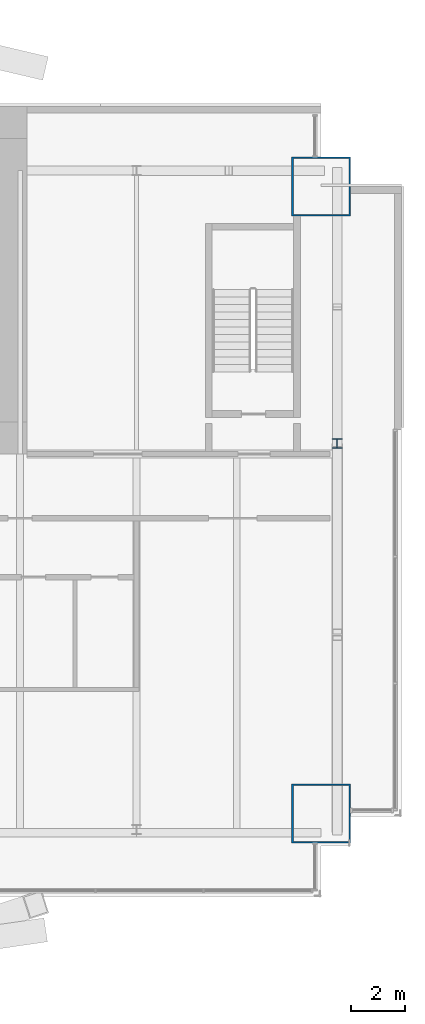
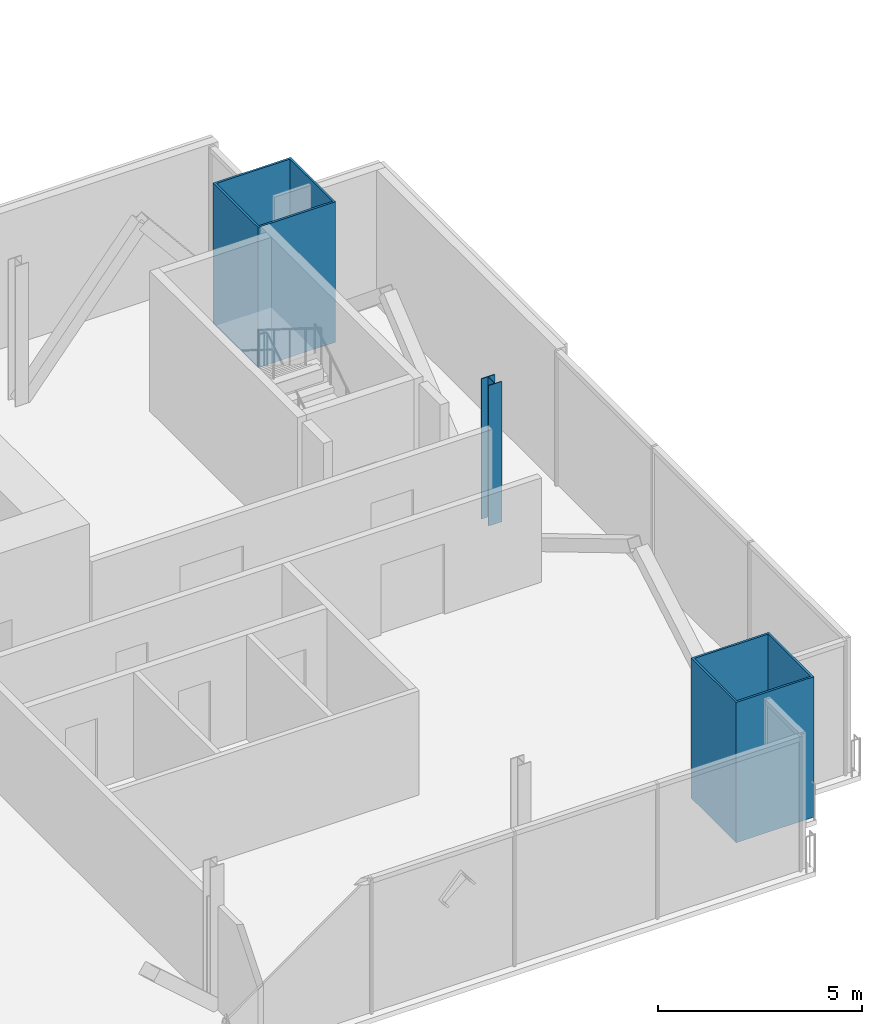
# One storey, part 4 of 22: 3 columns.
"""IFC4 building model written with IfcOpenShell, lengths in metres."""

import ifcopenshell
import ifcopenshell.guid

model = None  # the IFC model being written
_history = None  # IfcOwnerHistory: only IFC2X3 demands one
_inside = {}  # id of a spatial element -> (the spatial element, [elements in it])
_under = {}  # id of a project, library or spatial element -> (it, [spatial elements below it])
_declared = {}  # id of a project -> (the project, [libraries it declares])
_typed = {}  # id of a type object -> (the type object, [elements of that type])
_made_of = {}  # id of a material, layer set ... -> (it, [elements and type objects made of it])


def new_model(schema):
    """Start an empty IFC model of exactly this schema.

    Asked for "IFC4X3", IfcOpenShell would pick the latest addendum, in which some entities
    have other attributes; the version numbers below select the first issue.
    IFC2X3 requires an IfcOwnerHistory on every rooted entity: one is made here for all.
    """
    global model, _history
    if schema == "IFC4X3":
        model = ifcopenshell.file(schema_version=(4, 3, 0, 0))
    else:
        model = ifcopenshell.file(schema=schema)
    _inside.clear()
    _under.clear()
    _declared.clear()
    _typed.clear()
    _made_of.clear()
    _history = None
    if model.schema == "IFC2X3":
        org = make("IfcOrganization", Name="unknown")
        user = make(
            "IfcPersonAndOrganization",
            ThePerson=make("IfcPerson", FamilyName="unknown"),
            TheOrganization=org,
        )
        app = make(
            "IfcApplication",
            ApplicationDeveloper=org,
            Version="unknown",
            ApplicationFullName="unknown",
            ApplicationIdentifier="unknown",
        )
        _history = make(
            "IfcOwnerHistory",
            OwningUser=user,
            OwningApplication=app,
            ChangeAction="ADDED",
            CreationDate=0,
        )
    return model


def make(cls, **values):
    """One entity of the class cls with the attributes given. An attribute that is None is left unset."""
    return model.create_entity(
        cls, **{name: value for name, value in values.items() if value is not None}
    )


def rooted(cls, **values):
    """An entity with a GlobalId (a new one), such as an element, a storey or a relation."""
    return make(cls, GlobalId=ifcopenshell.guid.new(), OwnerHistory=_history, **values)


def si_unit(unit_type, name, prefix=None):
    """IfcSIUnit, for example si_unit("LENGTHUNIT", "METRE", prefix="MILLI")."""
    return make("IfcSIUnit", UnitType=unit_type, Prefix=prefix, Name=name)


def assignment(units):
    """IfcUnitAssignment: the units of a project."""
    return None if units is None else make("IfcUnitAssignment", Units=units)


def point(xyz):
    """IfcCartesianPoint."""
    return None if xyz is None else make("IfcCartesianPoint", Coordinates=xyz)


def direction(xyz):
    """IfcDirection."""
    return None if xyz is None else make("IfcDirection", DirectionRatios=xyz)


def frame(location, z_axis=None, x_axis=None):
    """IfcAxis2Placement3D, a coordinate frame: its origin and axes. An axis left out is left unset."""
    return make(
        "IfcAxis2Placement3D",
        Location=point(location),
        Axis=direction(z_axis),
        RefDirection=direction(x_axis),
    )


def frame_2d(location, x_axis=None):
    """IfcAxis2Placement2D, a coordinate frame in the plane: its origin and x axis."""
    return make(
        "IfcAxis2Placement2D", Location=point(location), RefDirection=direction(x_axis)
    )


def origin():
    """The frame at (0, 0, 0) with its axes left unset."""
    return frame((0.0, 0.0, 0.0))


def origin_2d():
    """The frame at (0, 0) in the plane with its x axis left unset."""
    return frame_2d((0.0, 0.0))


def place(relative_to, where):
    """IfcLocalPlacement: puts the frame where relative to a parent placement (None: the world)."""
    return make(
        "IfcLocalPlacement", PlacementRelTo=relative_to, RelativePlacement=where
    )


def context(
    kind, dimensions, precision=None, world=None, true_north=None, identifier=None
):
    """IfcGeometricRepresentationContext, for example the 3D "Model" context."""
    return make(
        "IfcGeometricRepresentationContext",
        ContextIdentifier=identifier,
        ContextType=kind,
        CoordinateSpaceDimension=dimensions,
        Precision=precision,
        WorldCoordinateSystem=world,
        TrueNorth=true_north,
    )


def subcontext(parent, identifier, kind, view, scale=None):
    """IfcGeometricRepresentationSubContext, for example "Body" below "Model"."""
    return make(
        "IfcGeometricRepresentationSubContext",
        ContextIdentifier=identifier,
        ContextType=kind,
        ParentContext=parent,
        TargetScale=scale,
        TargetView=view,
    )


def project(units=None, contexts=None):
    """IfcProject with its units and contexts."""
    return rooted(
        "IfcProject",
        Name="project",
        RepresentationContexts=contexts,
        UnitsInContext=assignment(units),
    )


def spatial(cls, under=None, at=None, **own):
    """A site, building, storey or space (cls), placed at a placement, below another one or the project."""
    s = rooted(cls, ObjectPlacement=at, **own)
    if under is not None:
        _under.setdefault(under.id(), (under, []))[1].append(s)
    return s


def profile(cls, at=None, kind="AREA", **sizes):
    """A parametric profile (cls). Its sizes go by their IFC names, for example OverallWidth=200.0."""
    return make(cls, ProfileType=kind, Position=at, **sizes)


def hollow_rectangle(**sizes):
    """IfcRectangleHollowProfileDef."""
    return profile("IfcRectangleHollowProfileDef", **sizes)


def i_section(**sizes):
    """IfcIShapeProfileDef."""
    return profile("IfcIShapeProfileDef", **sizes)


def extrude(swept, where, along, depth):
    """IfcExtrudedAreaSolid: the profile swept, set in the frame where, extruded along a direction by depth."""
    return make(
        "IfcExtrudedAreaSolid",
        SweptArea=swept,
        Position=where,
        ExtrudedDirection=direction(along),
        Depth=depth,
    )


def shape(context_of_items, identifier, shape_type, items):
    """IfcShapeRepresentation: the items that make up one representation, for example the "Body"."""
    return make(
        "IfcShapeRepresentation",
        ContextOfItems=context_of_items,
        RepresentationIdentifier=identifier,
        RepresentationType=shape_type,
        Items=items,
    )


def material(Name=None, Category=None):
    """IfcMaterial."""
    return make("IfcMaterial", Name=Name, Category=Category)


def material_profile(
    of_material, cross_section, Name=None, Category=None, Priority=None
):
    """IfcMaterialProfile: a cross section and its material."""
    return make(
        "IfcMaterialProfile",
        Name=Name,
        Material=of_material,
        Profile=cross_section,
        Priority=Priority,
        Category=Category,
    )


def profile_set(profiles, Name=None, composite=None):
    """IfcMaterialProfileSet."""
    return make(
        "IfcMaterialProfileSet",
        Name=Name,
        MaterialProfiles=profiles,
        CompositeProfile=composite,
    )


def made_of(thing, what):
    """Note that an element or type object is made of a material, layer set ...; save() writes the relation."""
    if what is not None:
        _made_of.setdefault(what.id(), (what, []))[1].append(thing)
    return thing


def type_object(cls, material=None, **own):
    """A type object (cls), such as IfcWallType, which elements share."""
    return made_of(rooted(cls, **own), material)


def element(
    cls,
    number,
    at=None,
    inside=None,
    cuts=None,
    type_object=None,
    material=None,
    context=None,
    identifier="Body",
    shape_type=None,
    held_by="IfcProductDefinitionShape",
    body=None,
    shapes=None,
    **own,
):
    """One element of the class cls, such as IfcWall. Its Tag is "e" and its number.

    at: its placement. inside: the storey or other place that contains it. cuts: it is an
    opening in that element (IfcRelVoidsElement). A single representation is given by context,
    identifier, shape_type and body (its items); several are given by shapes. held_by: the class
    of the entity that holds the representations. save() writes the other relations.
    """
    e = rooted(cls, Tag="e%d" % number, ObjectPlacement=at, **own)
    if body is not None:
        shapes = [shape(context, identifier, shape_type, body)]
    if shapes is not None:
        e.Representation = make(held_by, Representations=shapes)
    if inside is not None:
        _inside.setdefault(inside.id(), (inside, []))[1].append(e)
    if cuts is not None:
        rooted(
            "IfcRelVoidsElement", RelatingBuildingElement=cuts, RelatedOpeningElement=e
        )
    if type_object is not None:
        _typed.setdefault(type_object.id(), (type_object, []))[1].append(e)
    return made_of(e, material)


def aggregate(whole, parts):
    """IfcRelAggregates: a whole, such as a stair, and the parts it consists of."""
    return rooted("IfcRelAggregates", RelatingObject=whole, RelatedObjects=parts)


def save(model, path):
    """Write the relations noted so far, then the file.

    IfcRelAggregates (storeys below a building ...), IfcRelContainedInSpatialStructure (elements
    in a storey), IfcRelDefinesByType, IfcRelAssociatesMaterial and IfcRelDeclares: one each for
    every whole, place, type object, material and project.
    """
    for whole, parts in _under.values():
        aggregate(whole, parts)
    for where, things in _inside.values():
        rooted(
            "IfcRelContainedInSpatialStructure",
            RelatedElements=things,
            RelatingStructure=where,
        )
    for kind, things in _typed.values():
        rooted("IfcRelDefinesByType", RelatedObjects=things, RelatingType=kind)
    for what, things in _made_of.values():
        rooted("IfcRelAssociatesMaterial", RelatedObjects=things, RelatingMaterial=what)
    for by, libraries in _declared.values():
        rooted("IfcRelDeclares", RelatingContext=by, RelatedDefinitions=libraries)
    model.write(path)


model = new_model("IFC4")

# Units and contexts
model_context = context("Model", 3, precision=1e-05, world=origin(), true_north=direction((0.0, 1.0)))
body_context = subcontext(model_context, "Body", "Model", "MODEL_VIEW")
ifc_project = project(units=[si_unit("LENGTHUNIT", "METRE"), si_unit("AREAUNIT", "SQUARE_METRE"), si_unit("VOLUMEUNIT", "CUBIC_METRE"), si_unit("PLANEANGLEUNIT", "RADIAN"), si_unit("MASSUNIT", "GRAM", prefix="KILO")], contexts=[model_context])

# Site, building, storey
site_placement = place(None, origin())
site = spatial("IfcSite", under=ifc_project, at=site_placement, CompositionType="ELEMENT")
building_placement = place(site_placement, origin())
building = spatial("IfcBuilding", under=site, at=building_placement, Name="Bicima Exchange Tower", CompositionType="ELEMENT")
storey_placement = place(building_placement, frame((0.0, 0.0, 254.0)))
storey = spatial("IfcBuildingStorey", under=building, at=storey_placement, Name="L57", CompositionType="ELEMENT", Elevation=254.0)

# Columns
ifc_material_1 = material(Name="Steel ASTM A572 Gr 50", Category="steel")
ifc_material_profile_1 = material_profile(ifc_material_1, hollow_rectangle(XDim=2.199951171875, YDim=2.199951171875, WallThickness=0.06005859375, at=origin_2d()))
ifc_profile_set_1 = profile_set([ifc_material_profile_1], Name="Steel ASTM A572 Gr 50")
column_type_1 = type_object("IfcColumnType", Name="Mega column BOX 2200x2200x60", PredefinedType="COLUMN", material=ifc_profile_set_1)
for number, where, z_axis, x_axis, name in (
    (1, (33.0, -26.43408203125, 0.0), (0.0, 0.0, 1.0), (1.0, 0.0, 0.0), "Mega column mega+33.0f"),
    (2, (33.0, -3.0, 0.0), (0.0, 0.0, 1.0), (1.0, 0.0, 0.0), "Mega column mega+33.0r"),
):
    element("IfcColumn", number, at=place(storey_placement, frame(where, z_axis=z_axis, x_axis=x_axis)), inside=storey, type_object=column_type_1, Name=name, PredefinedType="COLUMN", context=body_context, shape_type="SweptSolid", body=[
        extrude(hollow_rectangle(XDim=2.199951171875, YDim=2.199951171875, WallThickness=0.06005859375, at=origin_2d()), origin(), (0.0, 0.0, 1.0), 4.199951171875),
    ])
ifc_material_2 = material(Name="Steel ASTM A992 Gr 50", Category="steel")
ifc_material_profile_2 = material_profile(ifc_material_2, i_section(OverallWidth=0.370849609375, OverallDepth=0.36328125, WebThickness=0.013427734375, FlangeThickness=0.021728515625, at=origin_2d()))
ifc_profile_set_2 = profile_set([ifc_material_profile_2], Name="Steel ASTM A992 Gr 50")
column_type_2 = type_object("IfcColumnType", Name="Perimeter column W14x109", PredefinedType="COLUMN", material=ifc_profile_set_2)
column_placement = place(storey_placement, frame((33.60009765625, -12.60009765625, 0.0), z_axis=(0.0, 0.0, 1.0), x_axis=(1.0, 0.0, 0.0)))
element("IfcColumn", 3, at=column_placement, inside=storey, type_object=column_type_2, Name="End column end+33.6e", PredefinedType="COLUMN", context=body_context, shape_type="SweptSolid", body=[
    extrude(i_section(OverallWidth=0.370849609375, OverallDepth=0.36328125, WebThickness=0.013427734375, FlangeThickness=0.021728515625, at=origin_2d()), origin(), (0.0, 0.0, 1.0), 4.199951171875),
])

save(model, "model.ifc")
